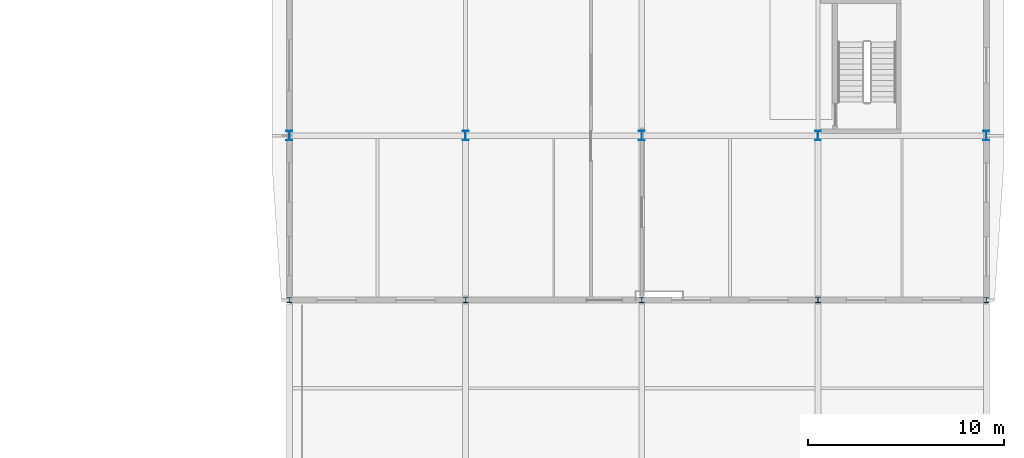
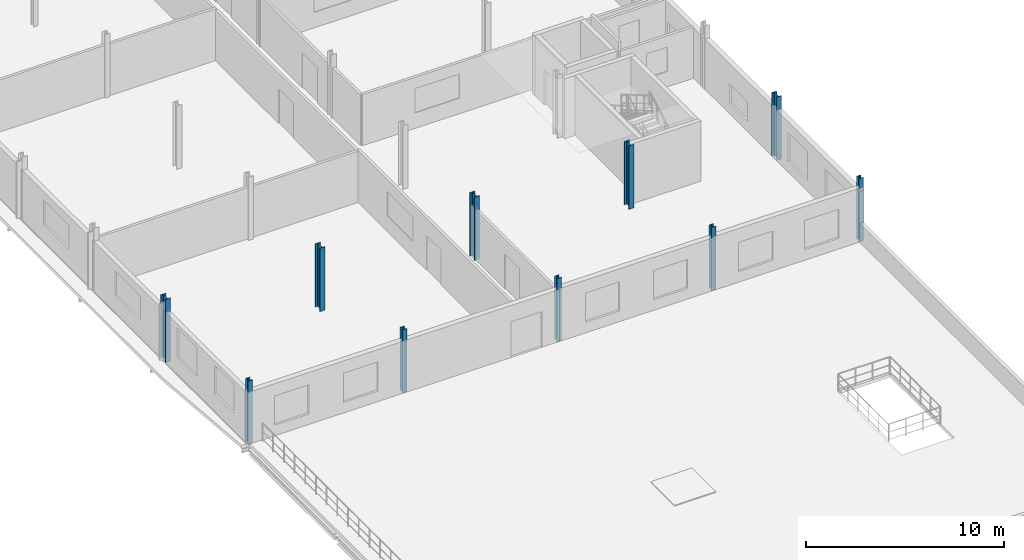
# One storey, part 15 of 78: 10 columns.
"""IFC4 building model written with IfcOpenShell, lengths in metres."""

from ifc_helpers import new_model, si_unit, direction, frame, origin, origin_2d, place, context, subcontext, project, spatial, i_section, extrude, material, material_profile, profile_set, type_object, element, save


model = new_model("IFC4")

# Units and contexts
model_context = context("Model", 3, precision=1e-05, world=origin(), true_north=direction((0.0, 1.0)))
body_context = subcontext(model_context, "Body", "Model", "MODEL_VIEW")
ifc_project = project(units=[si_unit("LENGTHUNIT", "METRE"), si_unit("AREAUNIT", "SQUARE_METRE"), si_unit("VOLUMEUNIT", "CUBIC_METRE"), si_unit("PLANEANGLEUNIT", "RADIAN"), si_unit("MASSUNIT", "GRAM", prefix="KILO")], contexts=[model_context])

# Site, building, storey
site_placement = place(None, origin())
site = spatial("IfcSite", under=ifc_project, at=site_placement, CompositionType="ELEMENT")
building_placement = place(site_placement, origin())
building = spatial("IfcBuilding", under=site, at=building_placement, Name="Vinh Khe Railworks Police Headquarters", CompositionType="ELEMENT")
storey_placement = place(building_placement, frame((0.0, 0.0, 13.199951171875)))
storey = spatial("IfcBuildingStorey", under=building, at=storey_placement, Name="L03", CompositionType="ELEMENT", Elevation=13.199951171875)

# Columns
ifc_material = material(Name="Steel S355JR", Category="steel")
ifc_material_profile_1 = material_profile(ifc_material, i_section(OverallWidth=0.300048828125, OverallDepth=0.489990234375, WebThickness=0.011962890625, FlangeThickness=0.02294921875, FilletRadius=0.027099609375, at=origin_2d()), Name="HEA 500")
ifc_profile_set_1 = profile_set([ifc_material_profile_1], Name="Steel S355JR")
column_type_1 = type_object("IfcColumnType", Name="Steel Column HEA 500", PredefinedType="COLUMN", material=ifc_profile_set_1)
for number, where, z_axis, x_axis, name in (
    (1, (78.0, 130.800048828125, 0.0), (0.0, 0.0, 1.0), (1.0, 0.0, 0.0), "Column COL-L03-SC-13-1174"),
    (2, (87.0, 130.800048828125, 0.0), (0.0, 0.0, 1.0), (1.0, 0.0, 0.0), "Column COL-L03-SC-13-1235"),
    (3, (96.0, 130.800048828125, 0.0), (0.0, 0.0, 1.0), (1.0, 0.0, 0.0), "Column COL-L03-SC-13-1296"),
    (4, (105.0, 130.800048828125, 0.0), (0.0, 0.0, 1.0), (1.0, 0.0, 0.0), "Column COL-L03-SC-13-1357"),
    (5, (113.60009765625, 130.800048828125, 0.0), (0.0, 0.0, 1.0), (1.0, 0.0, 0.0), "Column COL-L03-SC-13-1418"),
):
    element("IfcColumn", number, at=place(storey_placement, frame(where, z_axis=z_axis, x_axis=x_axis)), inside=storey, type_object=column_type_1, Name=name, PredefinedType="COLUMN", context=body_context, shape_type="SweptSolid", body=[
        extrude(i_section(OverallWidth=0.300048828125, OverallDepth=0.489990234375, WebThickness=0.011962890625, FlangeThickness=0.02294921875, FilletRadius=0.027099609375, at=origin_2d()), origin(), (0.0, 0.0, 1.0), 3.900146484375),
    ])
ifc_material_profile_2 = material_profile(ifc_material, i_section(OverallWidth=0.260009765625, OverallDepth=0.260009765625, WebThickness=0.010009765625, FlangeThickness=0.017578125, FilletRadius=0.02392578125, at=origin_2d()), Name="HEB 260")
ifc_profile_set_2 = profile_set([ifc_material_profile_2], Name="Steel S355JR")
column_type_2 = type_object("IfcColumnType", Name="Steel Column HEB 260", PredefinedType="COLUMN", material=ifc_profile_set_2)
for number, where, z_axis, x_axis, name in (
    (6, (78.0, 122.39990234375, 0.0), (0.0, 0.0, 1.0), (1.0, 0.0, 0.0), "Column COL-L03-SC-12-1167"),
    (7, (87.0, 122.39990234375, 0.0), (0.0, 0.0, 1.0), (1.0, 0.0, 0.0), "Column COL-L03-SC-12-1228"),
    (8, (96.0, 122.39990234375, 0.0), (0.0, 0.0, 1.0), (1.0, 0.0, 0.0), "Column COL-L03-SC-12-1289"),
    (9, (105.0, 122.39990234375, 0.0), (0.0, 0.0, 1.0), (1.0, 0.0, 0.0), "Column COL-L03-SC-12-1350"),
    (10, (113.60009765625, 122.39990234375, 0.0), (0.0, 0.0, 1.0), (1.0, 0.0, 0.0), "Column COL-L03-SC-12-1411"),
):
    element("IfcColumn", number, at=place(storey_placement, frame(where, z_axis=z_axis, x_axis=x_axis)), inside=storey, type_object=column_type_2, Name=name, PredefinedType="COLUMN", context=body_context, shape_type="SweptSolid", body=[
        extrude(i_section(OverallWidth=0.260009765625, OverallDepth=0.260009765625, WebThickness=0.010009765625, FlangeThickness=0.017578125, FilletRadius=0.02392578125, at=origin_2d()), origin(), (0.0, 0.0, 1.0), 3.900146484375),
    ])

save(model, "model.ifc")
